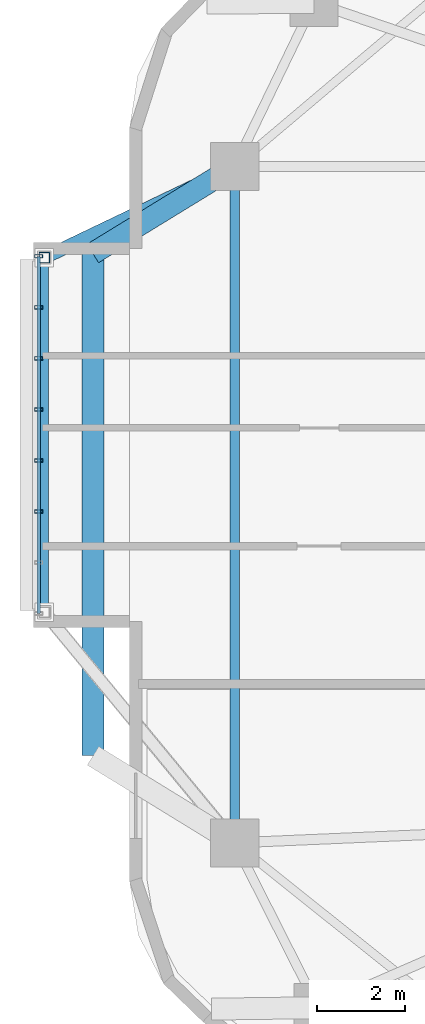
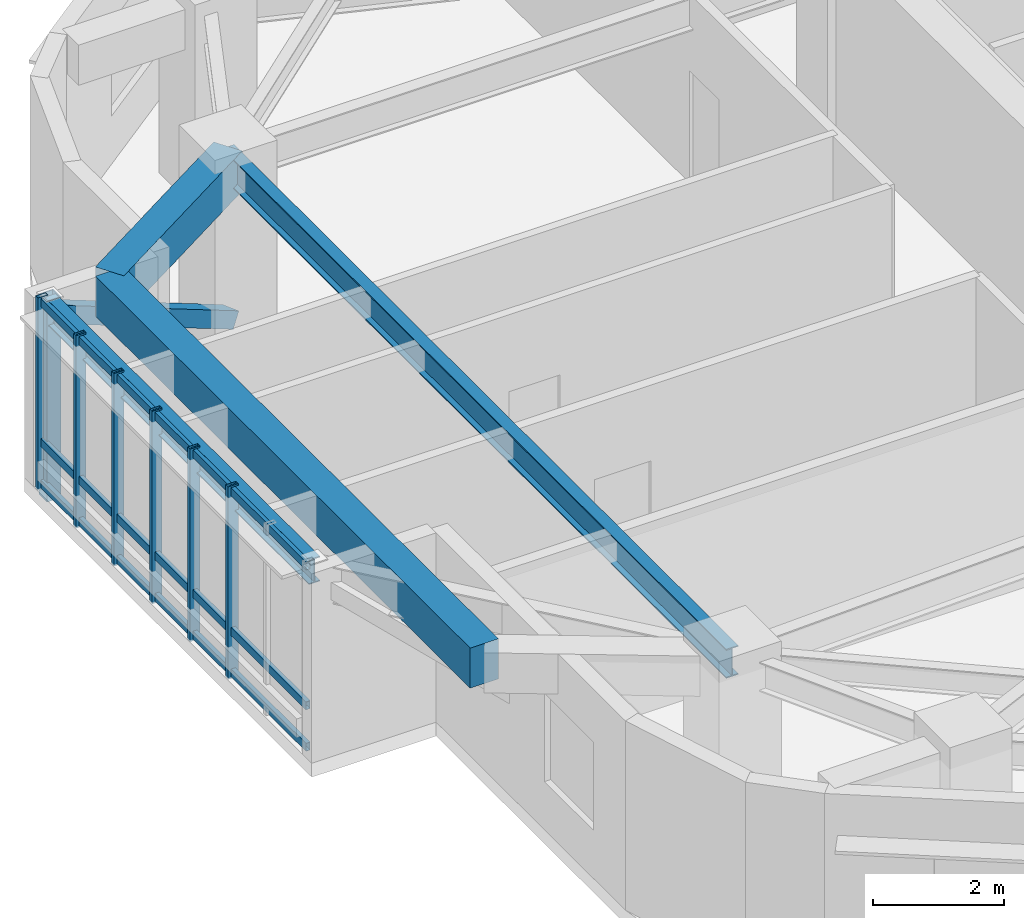
# One storey, part 3 of 14: 11 members, 4 beams, 1 element without a shape of its own.
"""IFC4 building model written with IfcOpenShell, lengths in metres."""

from ifc_helpers import new_model, si_unit, direction, frame, origin, origin_2d, place, context, subcontext, project, spatial, rectangle, hollow_rectangle, i_section, extrude, material, material_profile, profile_set, type_object, element, aggregate, save


model = new_model("IFC4")

# Units and contexts
model_context = context("Model", 3, precision=1e-05, world=origin(), true_north=direction((0.0, 1.0)))
body_context = subcontext(model_context, "Body", "Model", "MODEL_VIEW")
ifc_project = project(units=[si_unit("LENGTHUNIT", "METRE"), si_unit("AREAUNIT", "SQUARE_METRE"), si_unit("VOLUMEUNIT", "CUBIC_METRE"), si_unit("PLANEANGLEUNIT", "RADIAN"), si_unit("MASSUNIT", "GRAM", prefix="KILO")], contexts=[model_context])

# Site, building, storey
site_placement = place(None, origin())
site = spatial("IfcSite", under=ifc_project, at=site_placement, CompositionType="ELEMENT")
building_placement = place(site_placement, origin())
building = spatial("IfcBuilding", under=site, at=building_placement, Name="Zulverin Broadcast Headquarters", CompositionType="ELEMENT")
storey_placement = place(building_placement, frame((0.0, 0.0, 128.800048828125)))
storey = spatial("IfcBuildingStorey", under=building, at=storey_placement, Name="L32", CompositionType="ELEMENT", Elevation=128.800048828125)

# Beams
ifc_material_1 = material(Name="Concrete C40/50", Category="concrete")
ifc_material_profile_1 = material_profile(ifc_material_1, rectangle(XDim=0.5, YDim=0.75, at=origin_2d()), Name="Concrete C40/50", Category="concrete")
ifc_profile_set_1 = profile_set([ifc_material_profile_1], Name="Concrete C40/50")
beam_type_1 = type_object("IfcBeamType", Name="BM-RC-500x750", PredefinedType="BEAM", material=ifc_profile_set_1)
beam_1_placement = place(storey_placement, frame((14.60009765625, 32.523193359375, 3.1650390625), z_axis=(-0.852717571214, -0.522372227194, 0.0), x_axis=(0.522372227194, -0.852717571214, 0.0)))
element("IfcBeam", 1, at=beam_1_placement, inside=storey, type_object=beam_type_1, Name="L33 Balcony Column-Framed Cantilever BAL_W-1", PredefinedType="BEAM", context=body_context, shape_type="SweptSolid", body=[
    extrude(rectangle(XDim=0.5, YDim=0.75, at=origin_2d()), origin(), (0.0, 0.0, 1.0), 3.80029296875),
])
beam_2_placement = place(storey_placement, frame((11.359619140625, 30.5380859375, 3.1650390625), z_axis=(0.000297840642, -0.999999955645, 0.0), x_axis=(0.999999955645, 0.000297840642, 0.0)))
element("IfcBeam", 2, at=beam_2_placement, inside=storey, type_object=beam_type_1, Name="L33 Balcony Outer Edge Trimmer Beam BAL_W", PredefinedType="BEAM", context=body_context, shape_type="SweptSolid", body=[
    extrude(rectangle(XDim=0.5, YDim=0.75, at=origin_2d()), origin(), (0.0, 0.0, 1.0), 11.475830078125),
])
ifc_material_2 = material(Name="Structural steel S355JR", Category="steel")
ifc_material_profile_2 = material_profile(ifc_material_2, i_section(OverallWidth=0.19287109375, OverallDepth=0.46728515625, WebThickness=0.011474609375, FlangeThickness=0.01953125, at=origin_2d()), Name="Structural steel S355JR", Category="steel")
ifc_profile_set_2 = profile_set([ifc_material_profile_2], Name="Structural steel S355JR")
beam_type_2 = type_object("IfcBeamType", Name="BM-UB-457", PredefinedType="JOIST", material=ifc_profile_set_2)
beam_3_placement = place(storey_placement, frame((10.25, 22.340087890625, 3.306396484375), z_axis=(0.0, 1.0, 0.0), x_axis=(-1.0, 0.0, 0.0)))
element("IfcBeam", 3, at=beam_3_placement, inside=storey, type_object=beam_type_2, Name="L32 Studio Box Edge Beam SBOX_SKY1_W", PredefinedType="JOIST", context=body_context, shape_type="SweptSolid", body=[
    extrude(i_section(OverallWidth=0.19287109375, OverallDepth=0.46728515625, WebThickness=0.011474609375, FlangeThickness=0.01953125, at=origin_2d()), origin(), (0.0, 0.0, 1.0), 8.099853515625),
])
ifc_material_profile_3 = material_profile(ifc_material_2, i_section(OverallWidth=0.2119140625, OverallDepth=0.54443359375, WebThickness=0.0126953125, FlangeThickness=0.021240234375, at=origin_2d()), Name="Structural steel S355JR", Category="steel")
ifc_profile_set_3 = profile_set([ifc_material_profile_3], Name="Structural steel S355JR")
beam_type_3 = type_object("IfcBeamType", Name="BM-UB-533", PredefinedType="SPANDREL", material=ifc_profile_set_3)
beam_4_placement = place(storey_placement, frame((14.60009765625, 32.523193359375, 3.267578125), z_axis=(0.0, -1.0, 0.0), x_axis=(1.0, 0.0, 0.0)))
element("IfcBeam", 4, at=beam_4_placement, inside=storey, type_object=beam_type_3, Name="L32 Perimeter Spandrel Beam SP-13", PredefinedType="SPANDREL", context=body_context, shape_type="SweptSolid", body=[
    extrude(i_section(OverallWidth=0.2119140625, OverallDepth=0.54443359375, WebThickness=0.0126953125, FlangeThickness=0.021240234375, at=origin_2d()), origin(), (0.0, 0.0, 1.0), 15.451171875),
])

# Curtain wall, members
ifc_material_3 = material(Name="Acoustic triple-glazed studio box curtain wall", Category="aluminium")
curtain_wall_type = type_object("IfcCurtainWallType", Name="CW-SBOX", PredefinedType="USERDEFINED", material=ifc_material_3)
curtain_wall_placement = place(storey_placement, origin())
curtain_wall = element("IfcCurtainWall", 5, at=curtain_wall_placement, inside=storey, type_object=curtain_wall_type, Name="L32 Unitised Curtain Wall CW-L32-SBOX_SKY1_W-F", ObjectType="UNITISED CURTAIN WALL", PredefinedType="USERDEFINED")
ifc_material_4 = material(Name="Anodized pale-metal aluminium alloy 6063-T6", Category="aluminium")
ifc_material_profile_4 = material_profile(ifc_material_4, hollow_rectangle(XDim=0.074951171875, YDim=0.179931640625, WallThickness=0.0048828125, at=origin_2d()), Name="Anodized pale-metal aluminium alloy 6063-T6", Category="aluminium")
ifc_profile_set_4 = profile_set([ifc_material_profile_4], Name="Anodized pale-metal aluminium alloy 6063-T6")
member_type_1 = type_object("IfcMemberType", Name="CW-MUL-180", PredefinedType="MULLION", material=ifc_profile_set_4)
member_1_placement = place(storey_placement, frame((10.1201171875, 30.469970703125, -0.030029296875), z_axis=(0.0, 0.0, 1.0), x_axis=(0.0, -1.0, 0.0)))
member_1 = element("IfcMember", 6, at=member_1_placement, type_object=member_type_1, Name="CW-L32-SBOX_SKY1_W-F Mullion 00", PredefinedType="MULLION", context=body_context, shape_type="SweptSolid", body=[
    extrude(hollow_rectangle(XDim=0.074951171875, YDim=0.179931640625, WallThickness=0.0048828125, at=origin_2d()), origin(), (0.0, 0.0, 1.0), 3.60009765625),
])
member_2_placement = place(storey_placement, frame((10.1201171875, 29.30419921875, -0.030029296875), z_axis=(0.0, 0.0, 1.0), x_axis=(0.0, -1.0, 0.0)))
member_2 = element("IfcMember", 7, at=member_2_placement, type_object=member_type_1, Name="CW-L32-SBOX_SKY1_W-F Mullion 01", PredefinedType="MULLION", context=body_context, shape_type="SweptSolid", body=[
    extrude(hollow_rectangle(XDim=0.074951171875, YDim=0.179931640625, WallThickness=0.0048828125, at=origin_2d()), origin(), (0.0, 0.0, 1.0), 3.60009765625),
])
member_3_placement = place(storey_placement, frame((10.1201171875, 28.138671875, -0.030029296875), z_axis=(0.0, 0.0, 1.0), x_axis=(0.0, -1.0, 0.0)))
member_3 = element("IfcMember", 8, at=member_3_placement, type_object=member_type_1, Name="CW-L32-SBOX_SKY1_W-F Mullion 02", PredefinedType="MULLION", context=body_context, shape_type="SweptSolid", body=[
    extrude(hollow_rectangle(XDim=0.074951171875, YDim=0.179931640625, WallThickness=0.0048828125, at=origin_2d()), origin(), (0.0, 0.0, 1.0), 3.60009765625),
])
member_4_placement = place(storey_placement, frame((10.1201171875, 26.972900390625, -0.030029296875), z_axis=(0.0, 0.0, 1.0), x_axis=(0.0, -1.0, 0.0)))
member_4 = element("IfcMember", 9, at=member_4_placement, type_object=member_type_1, Name="CW-L32-SBOX_SKY1_W-F Mullion 03", PredefinedType="MULLION", context=body_context, shape_type="SweptSolid", body=[
    extrude(hollow_rectangle(XDim=0.074951171875, YDim=0.179931640625, WallThickness=0.0048828125, at=origin_2d()), origin(), (0.0, 0.0, 1.0), 3.60009765625),
])
member_5_placement = place(storey_placement, frame((10.1201171875, 25.80712890625, -0.030029296875), z_axis=(0.0, 0.0, 1.0), x_axis=(0.0, -1.0, 0.0)))
member_5 = element("IfcMember", 10, at=member_5_placement, type_object=member_type_1, Name="CW-L32-SBOX_SKY1_W-F Mullion 04", PredefinedType="MULLION", context=body_context, shape_type="SweptSolid", body=[
    extrude(hollow_rectangle(XDim=0.074951171875, YDim=0.179931640625, WallThickness=0.0048828125, at=origin_2d()), origin(), (0.0, 0.0, 1.0), 3.60009765625),
])
member_6_placement = place(storey_placement, frame((10.1201171875, 24.641357421875, -0.030029296875), z_axis=(0.0, 0.0, 1.0), x_axis=(0.0, -1.0, 0.0)))
member_6 = element("IfcMember", 11, at=member_6_placement, type_object=member_type_1, Name="CW-L32-SBOX_SKY1_W-F Mullion 05", PredefinedType="MULLION", context=body_context, shape_type="SweptSolid", body=[
    extrude(hollow_rectangle(XDim=0.074951171875, YDim=0.179931640625, WallThickness=0.0048828125, at=origin_2d()), origin(), (0.0, 0.0, 1.0), 3.60009765625),
])
ifc_material_profile_5 = material_profile(ifc_material_4, hollow_rectangle(XDim=0.074951171875, YDim=0.14990234375, WallThickness=0.0048828125, at=origin_2d()), Name="Anodized pale-metal aluminium alloy 6063-T6", Category="aluminium")
ifc_profile_set_5 = profile_set([ifc_material_profile_5], Name="Anodized pale-metal aluminium alloy 6063-T6")
member_type_2 = type_object("IfcMemberType", Name="CW-TRN-150", PredefinedType="USERDEFINED", material=ifc_profile_set_5)
member_7_placement = place(storey_placement, frame((10.1201171875, 30.469970703125, 0.074951171875), z_axis=(0.0, -1.0, 0.0), x_axis=(1.0, 0.0, 0.0)))
member_7 = element("IfcMember", 12, at=member_7_placement, type_object=member_type_2, Name="CW-L32-SBOX_SKY1_W-F Transom 0", ObjectType="TRANSOM", PredefinedType="USERDEFINED", context=body_context, shape_type="SweptSolid", body=[
    extrude(hollow_rectangle(XDim=0.074951171875, YDim=0.14990234375, WallThickness=0.0048828125, at=origin_2d()), origin(), (0.0, 0.0, 1.0), 8.159912109375),
])
member_8_placement = place(storey_placement, frame((10.1201171875, 30.469970703125, 0.849609375), z_axis=(0.0, -1.0, 0.0), x_axis=(1.0, 0.0, 0.0)))
member_8 = element("IfcMember", 13, at=member_8_placement, type_object=member_type_2, Name="CW-L32-SBOX_SKY1_W-F Transom 1", ObjectType="TRANSOM", PredefinedType="USERDEFINED", context=body_context, shape_type="SweptSolid", body=[
    extrude(hollow_rectangle(XDim=0.074951171875, YDim=0.14990234375, WallThickness=0.0048828125, at=origin_2d()), origin(), (0.0, 0.0, 1.0), 8.159912109375),
])
member_9_placement = place(storey_placement, frame((10.1201171875, 30.469970703125, 3.46484375), z_axis=(0.0, -1.0, 0.0), x_axis=(1.0, 0.0, 0.0)))
member_9 = element("IfcMember", 14, at=member_9_placement, type_object=member_type_2, Name="CW-L32-SBOX_SKY1_W-F Transom 2", ObjectType="TRANSOM", PredefinedType="USERDEFINED", context=body_context, shape_type="SweptSolid", body=[
    extrude(hollow_rectangle(XDim=0.074951171875, YDim=0.14990234375, WallThickness=0.0048828125, at=origin_2d()), origin(), (0.0, 0.0, 1.0), 8.159912109375),
])
aggregate(curtain_wall, [member_1, member_2, member_3, member_4, member_5, member_6, member_7, member_8, member_9])

# Members
ifc_material_profile_6 = material_profile(ifc_material_2, hollow_rectangle(XDim=0.300048828125, YDim=0.300048828125, WallThickness=0.01611328125, at=origin_2d()), Name="Structural steel S355JR", Category="steel")
ifc_profile_set_6 = profile_set([ifc_material_profile_6], Name="Structural steel S355JR")
member_type_3 = type_object("IfcMemberType", Name="MBR-BLT-DIAG1", PredefinedType="BRACE", material=ifc_profile_set_6)
member_10_placement = place(storey_placement, frame((14.60009765625, 32.523193359375, 0.349853515625), z_axis=(-0.773649623816, -0.370499059379, 0.514000687323), x_axis=(0.431922915557, -0.90191052495, 0.0)))
element("IfcMember", 15, at=member_10_placement, inside=storey, type_object=member_type_3, Name="L32 Studio Box Raking Knee Brace SBOX_SKY1_W-2", PredefinedType="BRACE", context=body_context, shape_type="SweptSolid", body=[
    extrude(hollow_rectangle(XDim=0.300048828125, YDim=0.300048828125, WallThickness=0.01611328125, at=origin_2d()), origin(), (0.0, 0.0, 1.0), 5.622802734375),
])
ifc_material_profile_7 = material_profile(ifc_material_2, hollow_rectangle(XDim=0.25, YDim=0.25, WallThickness=0.01611328125, at=origin_2d()), Name="Structural steel S355JR", Category="steel")
ifc_profile_set_7 = profile_set([ifc_material_profile_7], Name="Structural steel S355JR")
member_type_4 = type_object("IfcMemberType", Name="MBR-BLT-POST", PredefinedType="POST", material=ifc_profile_set_7)
member_11_placement = place(storey_placement, frame((10.25, 30.43994140625, -0.2099609375), z_axis=(0.0, 0.0, 1.0), x_axis=(1.0, 0.0, 0.0)))
element("IfcMember", 16, at=member_11_placement, inside=storey, type_object=member_type_4, Name="L32 Shifted Studio Box Frame Post SBOX_SKY1_W-2", PredefinedType="POST", context=body_context, shape_type="SweptSolid", body=[
    extrude(hollow_rectangle(XDim=0.25, YDim=0.25, WallThickness=0.01611328125, at=origin_2d()), origin(), (0.0, 0.0, 1.0), 3.75),
])

save(model, "model.ifc")
